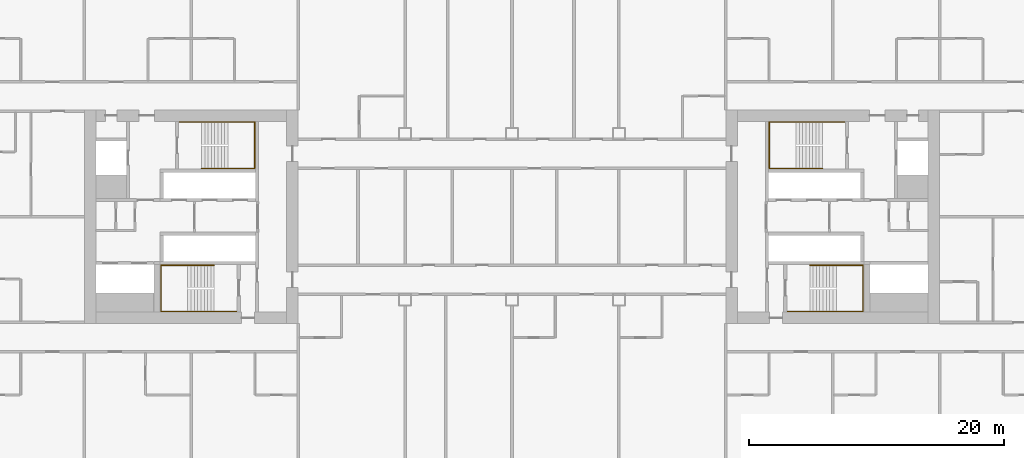
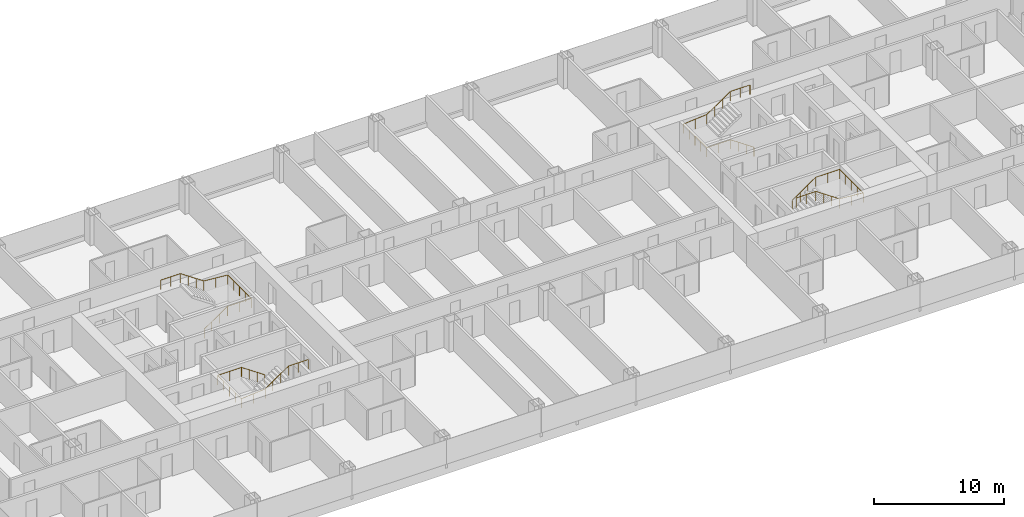
# One storey, part 28 of 28: 4 railings.
"""IFC4 building model written with IfcOpenShell, lengths in metres."""

from ifc_helpers import new_model, si_unit, direction, frame, origin, origin_2d, place, context, subcontext, project, spatial, circle, extrude, material, type_object, element, save


model = new_model("IFC4")

# Units and contexts
model_context = context("Model", 3, precision=1e-05, world=origin(), true_north=direction((0.0, 1.0)))
body_context = subcontext(model_context, "Body", "Model", "MODEL_VIEW")
ifc_project = project(units=[si_unit("LENGTHUNIT", "METRE"), si_unit("AREAUNIT", "SQUARE_METRE"), si_unit("VOLUMEUNIT", "CUBIC_METRE"), si_unit("PLANEANGLEUNIT", "RADIAN"), si_unit("MASSUNIT", "GRAM", prefix="KILO")], contexts=[model_context])

# Site, building, storey
site_placement = place(None, origin())
site = spatial("IfcSite", under=ifc_project, at=site_placement, CompositionType="ELEMENT")
building_placement = place(site_placement, origin())
building = spatial("IfcBuilding", under=site, at=building_placement, Name="Hakoniwa Tower and Hamabe Station Hall", CompositionType="ELEMENT")
storey_placement = place(building_placement, frame((0.0, 0.0, 35.800048828125)))
storey = spatial("IfcBuildingStorey", under=building, at=storey_placement, Name="L09", CompositionType="ELEMENT", Elevation=35.800048828125)

# Railings
ifc_material = material(Name="Stainless steel SUS304", Category="steel")
railing_type = type_object("IfcRailingType", Name="STAIR HANDRAIL 900", PredefinedType="HANDRAIL", material=ifc_material)
railing_1_placement = place(storey_placement, frame((-24.39990234375, 3.81005859375, 0.177734375)))
element("IfcRailing", 1, at=railing_1_placement, inside=storey, type_object=railing_type, Name="Handrail ST-1 L09 1", PredefinedType="HANDRAIL", context=body_context, shape_type="SweptSolid", body=[
    extrude(circle(Radius=0.02392578125, at=origin_2d()), frame((0.0, 0.0, 0.8759765625), z_axis=(0.825478349766, 0.0, 0.564433781827), x_axis=(0.0, 1.0, 0.0)), (0.0, 0.0, 1.0), 2.51953125),
    extrude(circle(Radius=0.02392578125, at=origin_2d()), frame((2.079833984375, 0.0, 2.2978515625), z_axis=(1.0, 0.0, 0.0), x_axis=(0.0, 1.0, 0.0)), (0.0, 0.0, 1.0), 2.110107421875),
    extrude(circle(Radius=0.02392578125, at=origin_2d()), frame((4.18994140625, 0.0, 2.2978515625), z_axis=(0.0, 1.0, 0.0), x_axis=(-1.0, 0.0, 0.0)), (0.0, 0.0, 1.0), 3.6298828125),
    extrude(circle(Radius=0.02392578125, at=origin_2d()), frame((4.18994140625, 3.6298828125, 2.2978515625), z_axis=(-0.996461767938, 0.0, 0.084047278587), x_axis=(0.0, -1.0, 0.0)), (0.0, 0.0, 1.0), 2.11767578125),
    extrude(circle(Radius=0.02392578125, at=origin_2d()), frame((2.079833984375, 3.6298828125, 2.47607421875), z_axis=(-0.825478349766, 0.0, 0.564433781827), x_axis=(0.0, -1.0, 0.0)), (0.0, 0.0, 1.0), 2.51953125),
    extrude(circle(Radius=0.02392578125, at=origin_2d()), frame((0.0, 3.6298828125, 3.89794921875), z_axis=(-1.0, 0.0, 0.0), x_axis=(0.0, -1.0, 0.0)), (0.0, 0.0, 1.0), 1.739990234375),
    extrude(circle(Radius=0.02099609375, at=origin_2d()), origin(), (0.0, 0.0, 1.0), 0.851806640625),
    extrude(circle(Radius=0.02099609375, at=origin_2d()), frame((0.693359375, 0.0, 0.47412109375)), (0.0, 0.0, 1.0), 0.851806640625),
    extrude(circle(Radius=0.02099609375, at=origin_2d()), frame((1.386474609375, 0.0, 0.947998046875)), (0.0, 0.0, 1.0), 0.851806640625),
    extrude(circle(Radius=0.02099609375, at=origin_2d()), frame((2.079833984375, 0.0, 1.422119140625)), (0.0, 0.0, 1.0), 0.851806640625),
    extrude(circle(Radius=0.02099609375, at=origin_2d()), frame((3.134765625, 0.0, 1.422119140625)), (0.0, 0.0, 1.0), 0.851806640625),
    extrude(circle(Radius=0.02099609375, at=origin_2d()), frame((4.18994140625, 0.0, 1.422119140625)), (0.0, 0.0, 1.0), 0.851806640625),
    extrude(circle(Radius=0.02099609375, at=origin_2d()), frame((4.18994140625, 0.907470703125, 1.422119140625)), (0.0, 0.0, 1.0), 0.851806640625),
    extrude(circle(Radius=0.02099609375, at=origin_2d()), frame((4.18994140625, 1.81494140625, 1.422119140625)), (0.0, 0.0, 1.0), 0.851806640625),
    extrude(circle(Radius=0.02099609375, at=origin_2d()), frame((4.18994140625, 2.722412109375, 1.422119140625)), (0.0, 0.0, 1.0), 0.851806640625),
    extrude(circle(Radius=0.02099609375, at=origin_2d()), frame((4.18994140625, 3.6298828125, 1.422119140625)), (0.0, 0.0, 1.0), 0.851806640625),
    extrude(circle(Radius=0.02099609375, at=origin_2d()), frame((3.134765625, 3.6298828125, 1.51123046875)), (0.0, 0.0, 1.0), 0.851806640625),
    extrude(circle(Radius=0.02099609375, at=origin_2d()), frame((2.079833984375, 3.6298828125, 1.60009765625)), (0.0, 0.0, 1.0), 0.851806640625),
    extrude(circle(Radius=0.02099609375, at=origin_2d()), frame((1.386474609375, 3.6298828125, 2.07421875)), (0.0, 0.0, 1.0), 0.851806640625),
    extrude(circle(Radius=0.02099609375, at=origin_2d()), frame((0.693359375, 3.6298828125, 2.548095703125)), (0.0, 0.0, 1.0), 0.851806640625),
    extrude(circle(Radius=0.02099609375, at=origin_2d()), frame((0.0, 3.6298828125, 3.022216796875)), (0.0, 0.0, 1.0), 0.851806640625),
    extrude(circle(Radius=0.02099609375, at=origin_2d()), frame((-0.8701171875, 3.6298828125, 3.022216796875)), (0.0, 0.0, 1.0), 0.851806640625),
    extrude(circle(Radius=0.02099609375, at=origin_2d()), frame((-1.739990234375, 3.6298828125, 3.022216796875)), (0.0, 0.0, 1.0), 0.851806640625),
])
railing_2_placement = place(storey_placement, frame((-23.39990234375, -3.81005859375, 0.177734375)))
element("IfcRailing", 2, at=railing_2_placement, inside=storey, type_object=railing_type, Name="Handrail ST-2 L09 1", PredefinedType="HANDRAIL", context=body_context, shape_type="SweptSolid", body=[
    extrude(circle(Radius=0.02392578125, at=origin_2d()), frame((0.0, 0.0, 0.8759765625), z_axis=(-0.82550921652, 0.0, 0.564388636881), x_axis=(0.0, -1.0, 0.0)), (0.0, 0.0, 1.0), 2.519775390625),
    extrude(circle(Radius=0.02392578125, at=origin_2d()), frame((-2.080078125, 0.0, 2.2978515625), z_axis=(-1.0, 0.0, 0.0), x_axis=(0.0, -1.0, 0.0)), (0.0, 0.0, 1.0), 2.110107421875),
    extrude(circle(Radius=0.02392578125, at=origin_2d()), frame((-4.190185546875, 0.0, 2.2978515625), z_axis=(0.0, -1.0, 0.0), x_axis=(1.0, 0.0, 0.0)), (0.0, 0.0, 1.0), 3.6298828125),
    extrude(circle(Radius=0.02392578125, at=origin_2d()), frame((-4.190185546875, -3.6298828125, 2.2978515625), z_axis=(0.996461767938, 0.0, 0.084047278587), x_axis=(0.0, 1.0, 0.0)), (0.0, 0.0, 1.0), 2.11767578125),
    extrude(circle(Radius=0.02392578125, at=origin_2d()), frame((-2.080078125, -3.6298828125, 2.47607421875), z_axis=(0.82550921652, 0.0, 0.564388636881), x_axis=(0.0, 1.0, 0.0)), (0.0, 0.0, 1.0), 2.519775390625),
    extrude(circle(Radius=0.02392578125, at=origin_2d()), frame((0.0, -3.6298828125, 3.89794921875), z_axis=(1.0, 0.0, 0.0), x_axis=(0.0, 1.0, 0.0)), (0.0, 0.0, 1.0), 1.739990234375),
    extrude(circle(Radius=0.02099609375, at=origin_2d()), origin(), (0.0, 0.0, 1.0), 0.851806640625),
    extrude(circle(Radius=0.02099609375, at=origin_2d()), frame((-0.693359375, 0.0, 0.47412109375)), (0.0, 0.0, 1.0), 0.851806640625),
    extrude(circle(Radius=0.02099609375, at=origin_2d()), frame((-1.38671875, 0.0, 0.947998046875)), (0.0, 0.0, 1.0), 0.851806640625),
    extrude(circle(Radius=0.02099609375, at=origin_2d()), frame((-2.080078125, 0.0, 1.422119140625)), (0.0, 0.0, 1.0), 0.851806640625),
    extrude(circle(Radius=0.02099609375, at=origin_2d()), frame((-3.13525390625, 0.0, 1.422119140625)), (0.0, 0.0, 1.0), 0.851806640625),
    extrude(circle(Radius=0.02099609375, at=origin_2d()), frame((-4.190185546875, 0.0, 1.422119140625)), (0.0, 0.0, 1.0), 0.851806640625),
    extrude(circle(Radius=0.02099609375, at=origin_2d()), frame((-4.190185546875, -0.907470703125, 1.422119140625)), (0.0, 0.0, 1.0), 0.851806640625),
    extrude(circle(Radius=0.02099609375, at=origin_2d()), frame((-4.190185546875, -1.81494140625, 1.422119140625)), (0.0, 0.0, 1.0), 0.851806640625),
    extrude(circle(Radius=0.02099609375, at=origin_2d()), frame((-4.190185546875, -2.722412109375, 1.422119140625)), (0.0, 0.0, 1.0), 0.851806640625),
    extrude(circle(Radius=0.02099609375, at=origin_2d()), frame((-4.190185546875, -3.6298828125, 1.422119140625)), (0.0, 0.0, 1.0), 0.851806640625),
    extrude(circle(Radius=0.02099609375, at=origin_2d()), frame((-3.13525390625, -3.6298828125, 1.51123046875)), (0.0, 0.0, 1.0), 0.851806640625),
    extrude(circle(Radius=0.02099609375, at=origin_2d()), frame((-2.080078125, -3.6298828125, 1.60009765625)), (0.0, 0.0, 1.0), 0.851806640625),
    extrude(circle(Radius=0.02099609375, at=origin_2d()), frame((-1.38671875, -3.6298828125, 2.07421875)), (0.0, 0.0, 1.0), 0.851806640625),
    extrude(circle(Radius=0.02099609375, at=origin_2d()), frame((-0.693359375, -3.6298828125, 2.548095703125)), (0.0, 0.0, 1.0), 0.851806640625),
    extrude(circle(Radius=0.02099609375, at=origin_2d()), frame((0.0, -3.6298828125, 3.022216796875)), (0.0, 0.0, 1.0), 0.851806640625),
    extrude(circle(Radius=0.02099609375, at=origin_2d()), frame((0.8701171875, -3.6298828125, 3.022216796875)), (0.0, 0.0, 1.0), 0.851806640625),
    extrude(circle(Radius=0.02099609375, at=origin_2d()), frame((1.739990234375, -3.6298828125, 3.022216796875)), (0.0, 0.0, 1.0), 0.851806640625),
])
railing_3_placement = place(storey_placement, frame((24.39990234375, 3.81005859375, 0.177734375)))
element("IfcRailing", 3, at=railing_3_placement, inside=storey, type_object=railing_type, Name="Handrail ST-3 L09 1", PredefinedType="HANDRAIL", context=body_context, shape_type="SweptSolid", body=[
    extrude(circle(Radius=0.02392578125, at=origin_2d()), frame((0.0, 0.0, 0.8759765625), z_axis=(-0.825478349766, 0.0, 0.564433781827), x_axis=(0.0, -1.0, 0.0)), (0.0, 0.0, 1.0), 2.51953125),
    extrude(circle(Radius=0.02392578125, at=origin_2d()), frame((-2.079833984375, 0.0, 2.2978515625), z_axis=(-1.0, 0.0, 0.0), x_axis=(0.0, -1.0, 0.0)), (0.0, 0.0, 1.0), 2.110107421875),
    extrude(circle(Radius=0.02392578125, at=origin_2d()), frame((-4.18994140625, 0.0, 2.2978515625), z_axis=(0.0, 1.0, 0.0), x_axis=(-1.0, 0.0, 0.0)), (0.0, 0.0, 1.0), 3.6298828125),
    extrude(circle(Radius=0.02392578125, at=origin_2d()), frame((-4.18994140625, 3.6298828125, 2.2978515625), z_axis=(0.996461767938, 0.0, 0.084047278587), x_axis=(0.0, 1.0, 0.0)), (0.0, 0.0, 1.0), 2.11767578125),
    extrude(circle(Radius=0.02392578125, at=origin_2d()), frame((-2.079833984375, 3.6298828125, 2.47607421875), z_axis=(0.825478349766, 0.0, 0.564433781827), x_axis=(0.0, 1.0, 0.0)), (0.0, 0.0, 1.0), 2.51953125),
    extrude(circle(Radius=0.02392578125, at=origin_2d()), frame((0.0, 3.6298828125, 3.89794921875), z_axis=(1.0, 0.0, 0.0), x_axis=(0.0, 1.0, 0.0)), (0.0, 0.0, 1.0), 1.739990234375),
    extrude(circle(Radius=0.02099609375, at=origin_2d()), origin(), (0.0, 0.0, 1.0), 0.851806640625),
    extrude(circle(Radius=0.02099609375, at=origin_2d()), frame((-0.693359375, 0.0, 0.47412109375)), (0.0, 0.0, 1.0), 0.851806640625),
    extrude(circle(Radius=0.02099609375, at=origin_2d()), frame((-1.386474609375, 0.0, 0.947998046875)), (0.0, 0.0, 1.0), 0.851806640625),
    extrude(circle(Radius=0.02099609375, at=origin_2d()), frame((-2.079833984375, 0.0, 1.422119140625)), (0.0, 0.0, 1.0), 0.851806640625),
    extrude(circle(Radius=0.02099609375, at=origin_2d()), frame((-3.134765625, 0.0, 1.422119140625)), (0.0, 0.0, 1.0), 0.851806640625),
    extrude(circle(Radius=0.02099609375, at=origin_2d()), frame((-4.18994140625, 0.0, 1.422119140625)), (0.0, 0.0, 1.0), 0.851806640625),
    extrude(circle(Radius=0.02099609375, at=origin_2d()), frame((-4.18994140625, 0.907470703125, 1.422119140625)), (0.0, 0.0, 1.0), 0.851806640625),
    extrude(circle(Radius=0.02099609375, at=origin_2d()), frame((-4.18994140625, 1.81494140625, 1.422119140625)), (0.0, 0.0, 1.0), 0.851806640625),
    extrude(circle(Radius=0.02099609375, at=origin_2d()), frame((-4.18994140625, 2.722412109375, 1.422119140625)), (0.0, 0.0, 1.0), 0.851806640625),
    extrude(circle(Radius=0.02099609375, at=origin_2d()), frame((-4.18994140625, 3.6298828125, 1.422119140625)), (0.0, 0.0, 1.0), 0.851806640625),
    extrude(circle(Radius=0.02099609375, at=origin_2d()), frame((-3.134765625, 3.6298828125, 1.51123046875)), (0.0, 0.0, 1.0), 0.851806640625),
    extrude(circle(Radius=0.02099609375, at=origin_2d()), frame((-2.079833984375, 3.6298828125, 1.60009765625)), (0.0, 0.0, 1.0), 0.851806640625),
    extrude(circle(Radius=0.02099609375, at=origin_2d()), frame((-1.386474609375, 3.6298828125, 2.07421875)), (0.0, 0.0, 1.0), 0.851806640625),
    extrude(circle(Radius=0.02099609375, at=origin_2d()), frame((-0.693359375, 3.6298828125, 2.548095703125)), (0.0, 0.0, 1.0), 0.851806640625),
    extrude(circle(Radius=0.02099609375, at=origin_2d()), frame((0.0, 3.6298828125, 3.022216796875)), (0.0, 0.0, 1.0), 0.851806640625),
    extrude(circle(Radius=0.02099609375, at=origin_2d()), frame((0.8701171875, 3.6298828125, 3.022216796875)), (0.0, 0.0, 1.0), 0.851806640625),
    extrude(circle(Radius=0.02099609375, at=origin_2d()), frame((1.739990234375, 3.6298828125, 3.022216796875)), (0.0, 0.0, 1.0), 0.851806640625),
])
railing_4_placement = place(storey_placement, frame((23.39990234375, -3.81005859375, 0.177734375)))
element("IfcRailing", 4, at=railing_4_placement, inside=storey, type_object=railing_type, Name="Handrail ST-4 L09 1", PredefinedType="HANDRAIL", context=body_context, shape_type="SweptSolid", body=[
    extrude(circle(Radius=0.02392578125, at=origin_2d()), frame((0.0, 0.0, 0.8759765625), z_axis=(0.82550921652, 0.0, 0.564388636881), x_axis=(0.0, 1.0, 0.0)), (0.0, 0.0, 1.0), 2.519775390625),
    extrude(circle(Radius=0.02392578125, at=origin_2d()), frame((2.080078125, 0.0, 2.2978515625), z_axis=(1.0, 0.0, 0.0), x_axis=(0.0, 1.0, 0.0)), (0.0, 0.0, 1.0), 2.110107421875),
    extrude(circle(Radius=0.02392578125, at=origin_2d()), frame((4.190185546875, 0.0, 2.2978515625), z_axis=(0.0, -1.0, 0.0), x_axis=(1.0, 0.0, 0.0)), (0.0, 0.0, 1.0), 3.6298828125),
    extrude(circle(Radius=0.02392578125, at=origin_2d()), frame((4.190185546875, -3.6298828125, 2.2978515625), z_axis=(-0.996461767938, 0.0, 0.084047278587), x_axis=(0.0, -1.0, 0.0)), (0.0, 0.0, 1.0), 2.11767578125),
    extrude(circle(Radius=0.02392578125, at=origin_2d()), frame((2.080078125, -3.6298828125, 2.47607421875), z_axis=(-0.82550921652, 0.0, 0.564388636881), x_axis=(0.0, -1.0, 0.0)), (0.0, 0.0, 1.0), 2.519775390625),
    extrude(circle(Radius=0.02392578125, at=origin_2d()), frame((0.0, -3.6298828125, 3.89794921875), z_axis=(-1.0, 0.0, 0.0), x_axis=(0.0, -1.0, 0.0)), (0.0, 0.0, 1.0), 1.739990234375),
    extrude(circle(Radius=0.02099609375, at=origin_2d()), origin(), (0.0, 0.0, 1.0), 0.851806640625),
    extrude(circle(Radius=0.02099609375, at=origin_2d()), frame((0.693359375, 0.0, 0.47412109375)), (0.0, 0.0, 1.0), 0.851806640625),
    extrude(circle(Radius=0.02099609375, at=origin_2d()), frame((1.38671875, 0.0, 0.947998046875)), (0.0, 0.0, 1.0), 0.851806640625),
    extrude(circle(Radius=0.02099609375, at=origin_2d()), frame((2.080078125, 0.0, 1.422119140625)), (0.0, 0.0, 1.0), 0.851806640625),
    extrude(circle(Radius=0.02099609375, at=origin_2d()), frame((3.13525390625, 0.0, 1.422119140625)), (0.0, 0.0, 1.0), 0.851806640625),
    extrude(circle(Radius=0.02099609375, at=origin_2d()), frame((4.190185546875, 0.0, 1.422119140625)), (0.0, 0.0, 1.0), 0.851806640625),
    extrude(circle(Radius=0.02099609375, at=origin_2d()), frame((4.190185546875, -0.907470703125, 1.422119140625)), (0.0, 0.0, 1.0), 0.851806640625),
    extrude(circle(Radius=0.02099609375, at=origin_2d()), frame((4.190185546875, -1.81494140625, 1.422119140625)), (0.0, 0.0, 1.0), 0.851806640625),
    extrude(circle(Radius=0.02099609375, at=origin_2d()), frame((4.190185546875, -2.722412109375, 1.422119140625)), (0.0, 0.0, 1.0), 0.851806640625),
    extrude(circle(Radius=0.02099609375, at=origin_2d()), frame((4.190185546875, -3.6298828125, 1.422119140625)), (0.0, 0.0, 1.0), 0.851806640625),
    extrude(circle(Radius=0.02099609375, at=origin_2d()), frame((3.13525390625, -3.6298828125, 1.51123046875)), (0.0, 0.0, 1.0), 0.851806640625),
    extrude(circle(Radius=0.02099609375, at=origin_2d()), frame((2.080078125, -3.6298828125, 1.60009765625)), (0.0, 0.0, 1.0), 0.851806640625),
    extrude(circle(Radius=0.02099609375, at=origin_2d()), frame((1.38671875, -3.6298828125, 2.07421875)), (0.0, 0.0, 1.0), 0.851806640625),
    extrude(circle(Radius=0.02099609375, at=origin_2d()), frame((0.693359375, -3.6298828125, 2.548095703125)), (0.0, 0.0, 1.0), 0.851806640625),
    extrude(circle(Radius=0.02099609375, at=origin_2d()), frame((0.0, -3.6298828125, 3.022216796875)), (0.0, 0.0, 1.0), 0.851806640625),
    extrude(circle(Radius=0.02099609375, at=origin_2d()), frame((-0.8701171875, -3.6298828125, 3.022216796875)), (0.0, 0.0, 1.0), 0.851806640625),
    extrude(circle(Radius=0.02099609375, at=origin_2d()), frame((-1.739990234375, -3.6298828125, 3.022216796875)), (0.0, 0.0, 1.0), 0.851806640625),
])

save(model, "model.ifc")
